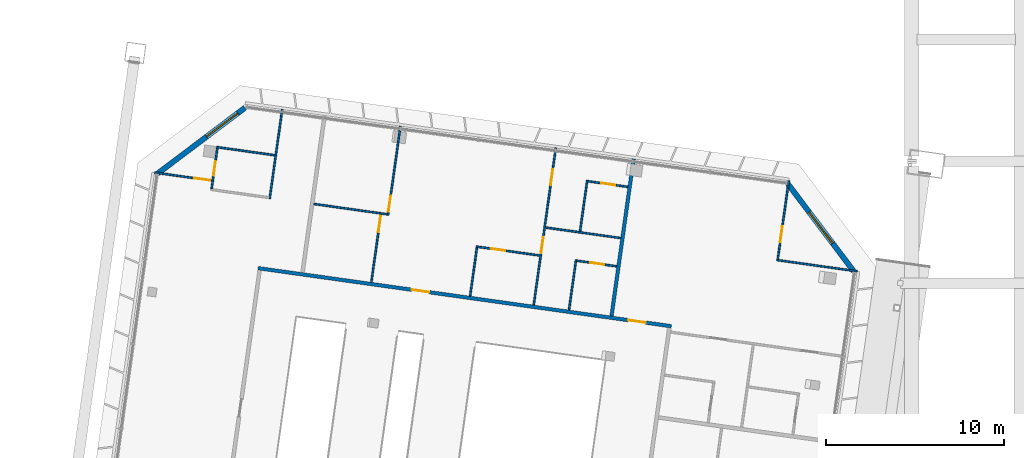
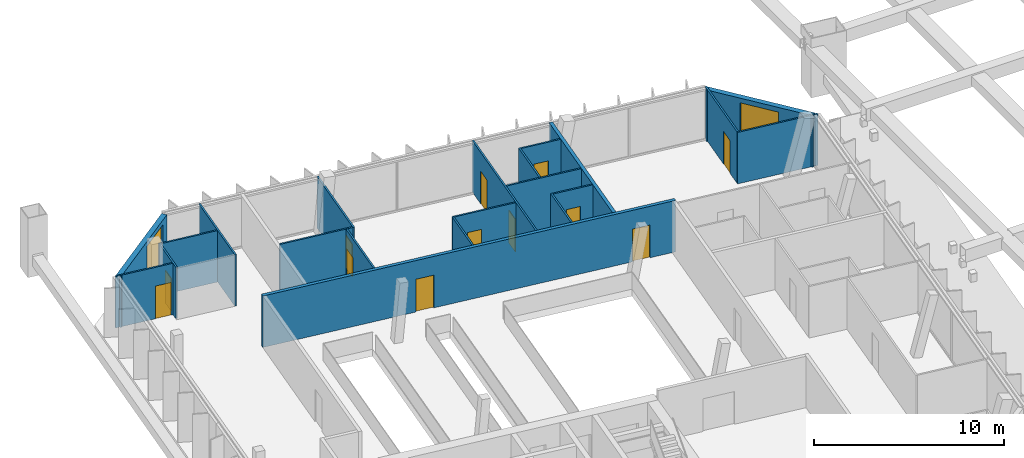
# One storey, part 23 of 36: 21 walls, 12 doors, 2 windows, 14 openings.
"""IFC4 building model written with IfcOpenShell, lengths in metres."""

from ifc_helpers import new_model, si_unit, direction, frame, frame_2d, origin, place, context, subcontext, project, spatial, rectangle, extrude, material, layer, layer_set, type_object, element, fill, save


model = new_model("IFC4")

# Units and contexts
model_context = context("Model", 3, precision=1e-05, world=origin(), true_north=direction((0.0, 1.0)))
body_context = subcontext(model_context, "Body", "Model", "MODEL_VIEW")
ifc_project = project(units=[si_unit("LENGTHUNIT", "METRE"), si_unit("AREAUNIT", "SQUARE_METRE"), si_unit("VOLUMEUNIT", "CUBIC_METRE"), si_unit("PLANEANGLEUNIT", "RADIAN"), si_unit("MASSUNIT", "GRAM", prefix="KILO")], contexts=[model_context])

# Site, building, storey
site_placement = place(None, origin())
site = spatial("IfcSite", under=ifc_project, at=site_placement, CompositionType="ELEMENT")
building_placement = place(site_placement, origin())
building = spatial("IfcBuilding", under=site, at=building_placement, Name="Mirante Cascada Hotel Towers", CompositionType="ELEMENT")
storey_placement = place(building_placement, frame((0.0, 0.0, 254.6)))
storey = spatial("IfcBuildingStorey", under=building, at=storey_placement, Name="L61", CompositionType="ELEMENT", Elevation=254.6)

# Wall, openings, doors
ifc_material_1 = material(Name="Fire-rated plasterboard on metal studs")
ifc_layer_1 = layer(ifc_material_1, 0.2)
ifc_layer_set_1 = layer_set([ifc_layer_1], Name="Compartment wall 200 EI 120")
wall_type_1 = type_object("IfcWallType", Name="Compartment wall 200 EI 120", PredefinedType="PARTITIONING", material=ifc_layer_set_1)
wall_1_placement = place(storey_placement, frame((-48.9088, 10.7557, 0.0), z_axis=(0.0, 0.0, 1.0), x_axis=(0.9902684, -0.1391708, 0.0)))
wall_1 = element("IfcWall", 1, at=wall_1_placement, inside=storey, type_object=wall_type_1, Name="Wall 1-L61-15", PredefinedType="PARTITIONING", context=body_context, shape_type="SweptSolid", body=[
    extrude(rectangle(XDim=23.4, YDim=0.2, at=frame_2d((11.7, 0.0))), origin(), (0.0, 0.0, 1.0), 3.3),
])
opening_1_placement = place(wall_1_placement, frame((20.95, 0.0, 0.0)))
opening_1 = element("IfcOpeningElement", 2, at=opening_1_placement, cuts=wall_1, Name="Opening D1-L61-07", PredefinedType="OPENING", context=body_context, shape_type="SweptSolid", body=[
    extrude(rectangle(XDim=1.0, YDim=2.1, at=frame_2d((0.5, 1.05))), frame((0.0, 0.1, 0.0), z_axis=(0.0, -1.0, 0.0), x_axis=(1.0, 0.0, 0.0)), (0.0, 0.0, 1.0), 0.2),
])
opening_2_placement = place(wall_1_placement, frame((8.6948, 0.0, 0.0)))
opening_2 = element("IfcOpeningElement", 3, at=opening_2_placement, cuts=wall_1, Name="Opening D1-L61-08", PredefinedType="OPENING", context=body_context, shape_type="SweptSolid", body=[
    extrude(rectangle(XDim=1.0, YDim=2.1, at=frame_2d((0.5, 1.05))), frame((0.0, 0.1, 0.0), z_axis=(0.0, -1.0, 0.0), x_axis=(1.0, 0.0, 0.0)), (0.0, 0.0, 1.0), 0.2),
])
ifc_material_2 = material(Name="Fire-rated timber door leaf", Category="wood")
door_type_1 = type_object("IfcDoorType", Name="Entrance door DG1 1000x2100 EI 60", OperationType="SINGLE_SWING_LEFT", PredefinedType="DOOR", material=ifc_material_2)
door_1_placement = place(opening_1_placement, origin())
door_1 = element("IfcDoor", 4, at=door_1_placement, inside=storey, type_object=door_type_1, Name="Door D1-L61-07", OperationType="SINGLE_SWING_LEFT", OverallHeight=2.1, OverallWidth=1.0, PredefinedType="DOOR", context=body_context, shape_type="SweptSolid", body=[
    extrude(rectangle(XDim=1.0, YDim=2.1, at=frame_2d((0.5, 1.05))), frame((0.0, 0.025, 0.0), z_axis=(0.0, -1.0, 0.0), x_axis=(1.0, 0.0, 0.0)), (0.0, 0.0, 1.0), 0.05),
])
fill(opening_1, door_1)
door_2_placement = place(opening_2_placement, origin())
door_2 = element("IfcDoor", 5, at=door_2_placement, inside=storey, type_object=door_type_1, Name="Door D1-L61-08", OperationType="SINGLE_SWING_LEFT", OverallHeight=2.1, OverallWidth=1.0, PredefinedType="DOOR", context=body_context, shape_type="SweptSolid", body=[
    extrude(rectangle(XDim=1.0, YDim=2.1, at=frame_2d((0.5, 1.05))), frame((0.0, 0.025, 0.0), z_axis=(0.0, -1.0, 0.0), x_axis=(1.0, 0.0, 0.0)), (0.0, 0.0, 1.0), 0.05),
])
fill(opening_2, door_2)

# Wall
wall_2_placement = place(storey_placement, frame((-27.8508, 16.8847, 0.0), z_axis=(0.0, 0.0, 1.0), x_axis=(-0.1391794, -0.9902672, 0.0)))
element("IfcWall", 6, at=wall_2_placement, inside=storey, type_object=wall_type_1, Name="Wall 1-L61-39", PredefinedType="PARTITIONING", context=body_context, shape_type="SweptSolid", body=[
    extrude(rectangle(XDim=8.9, YDim=0.2, at=frame_2d((4.45, 0.0))), origin(), (0.0, 0.0, 1.0), 3.3),
])

# Wall, opening, door
ifc_material_3 = material(Name="Plasterboard on metal studs")
ifc_layer_2 = layer(ifc_material_3, 0.1)
ifc_layer_set_2 = layer_set([ifc_layer_2], Name="Partition 100")
wall_type_2 = type_object("IfcWallType", Name="Partition 100", PredefinedType="PARTITIONING", material=ifc_layer_set_2)
wall_3_placement = place(storey_placement, frame((-28.7988, 10.858, 0.0), z_axis=(0.0, 0.0, 1.0), x_axis=(-0.990271, 0.1391524, 0.0)))
wall_3 = element("IfcWall", 7, at=wall_3_placement, inside=storey, type_object=wall_type_2, Name="Wall 1-L61-16", PredefinedType="PARTITIONING", context=body_context, shape_type="SweptSolid", body=[
    extrude(rectangle(XDim=2.2587, YDim=0.1, at=frame_2d((1.1294, 0.0))), origin(), (0.0, 0.0, 1.0), 3.3),
])
opening_3_placement = place(wall_3_placement, frame((0.7087, 0.0, 0.0)))
opening_3 = element("IfcOpeningElement", 8, at=opening_3_placement, cuts=wall_3, Name="Opening D1-L61-09", PredefinedType="OPENING", context=body_context, shape_type="SweptSolid", body=[
    extrude(rectangle(XDim=0.8, YDim=2.1, at=frame_2d((0.4, 1.05))), frame((0.0, 0.05, 0.0), z_axis=(0.0, -1.0, 0.0), x_axis=(1.0, 0.0, 0.0)), (0.0, 0.0, 1.0), 0.1),
])
ifc_material_4 = material(Name="Timber door leaf", Category="wood")
door_type_2 = type_object("IfcDoorType", Name="Bathroom door DG4 800x2100", OperationType="SINGLE_SWING_LEFT", PredefinedType="DOOR", material=ifc_material_4)
door_3_placement = place(opening_3_placement, origin())
door_3 = element("IfcDoor", 9, at=door_3_placement, inside=storey, type_object=door_type_2, Name="Door D1-L61-09", OperationType="SINGLE_SWING_LEFT", OverallHeight=2.1, OverallWidth=0.8, PredefinedType="DOOR", context=body_context, shape_type="SweptSolid", body=[
    extrude(rectangle(XDim=0.8, YDim=2.1, at=frame_2d((0.4, 1.05))), frame((0.0, 0.025, 0.0), z_axis=(0.0, -1.0, 0.0), x_axis=(1.0, 0.0, 0.0)), (0.0, 0.0, 1.0), 0.05),
])
fill(opening_3, door_3)

wall_4_placement = place(storey_placement, frame((-36.6801, 11.9656, 0.0), z_axis=(0.0, 0.0, 1.0), x_axis=(0.9902673, -0.1391783, 0.0)))
wall_4 = element("IfcWall", 10, at=wall_4_placement, inside=storey, type_object=wall_type_2, Name="Wall 1-L61-17", PredefinedType="PARTITIONING", context=body_context, shape_type="SweptSolid", body=[
    extrude(rectangle(XDim=3.6019, YDim=0.1, at=frame_2d((1.801, 0.0))), origin(), (0.0, 0.0, 1.0), 3.3),
])
opening_4_placement = place(wall_4_placement, frame((0.85, 0.0, 0.0)))
opening_4 = element("IfcOpeningElement", 11, at=opening_4_placement, cuts=wall_4, Name="Opening D1-L61-10", PredefinedType="OPENING", context=body_context, shape_type="SweptSolid", body=[
    extrude(rectangle(XDim=0.8, YDim=2.1, at=frame_2d((0.4, 1.05))), frame((0.0, 0.05, 0.0), z_axis=(0.0, -1.0, 0.0), x_axis=(1.0, 0.0, 0.0)), (0.0, 0.0, 1.0), 0.1),
])
door_4_placement = place(opening_4_placement, origin())
door_4 = element("IfcDoor", 12, at=door_4_placement, inside=storey, type_object=door_type_2, Name="Door D1-L61-10", OperationType="SINGLE_SWING_LEFT", OverallHeight=2.1, OverallWidth=0.8, PredefinedType="DOOR", context=body_context, shape_type="SweptSolid", body=[
    extrude(rectangle(XDim=0.8, YDim=2.1, at=frame_2d((0.4, 1.05))), frame((0.0, 0.025, 0.0), z_axis=(0.0, -1.0, 0.0), x_axis=(1.0, 0.0, 0.0)), (0.0, 0.0, 1.0), 0.05),
])
fill(opening_4, door_4)

# Walls
wall_5_placement = place(storey_placement, frame((-41.6712, 13.7779, 0.0), z_axis=(0.0, 0.0, 1.0), x_axis=(-0.9902677, 0.1391758, 0.0)))
element("IfcWall", 13, at=wall_5_placement, inside=storey, type_object=wall_type_2, Name="Wall 1-L61-18", PredefinedType="PARTITIONING", context=body_context, shape_type="SweptSolid", body=[
    extrude(rectangle(XDim=4.1466, YDim=0.1, at=frame_2d((2.0733, 0.0))), origin(), (0.0, 0.0, 1.0), 3.3),
])
wall_6_placement = place(storey_placement, frame((-15.3185, 10.5792, 0.0), z_axis=(0.0, 0.0, 1.0), x_axis=(-0.9902695, 0.1391626, 0.0)))
element("IfcWall", 14, at=wall_6_placement, inside=storey, type_object=wall_type_2, Name="Wall 1-L61-20", PredefinedType="PARTITIONING", context=body_context, shape_type="SweptSolid", body=[
    extrude(rectangle(XDim=4.5501, YDim=0.1, at=frame_2d((2.275, 0.0))), origin(), (0.0, 0.0, 1.0), 3.3),
])
wall_7_placement = place(storey_placement, frame((-32.7916, 13.0348, 0.0), z_axis=(0.0, 0.0, 1.0), x_axis=(0.9902692, -0.1391648, 0.0)))
element("IfcWall", 15, at=wall_7_placement, inside=storey, type_object=wall_type_2, Name="Wall 1-L61-21", PredefinedType="PARTITIONING", context=body_context, shape_type="SweptSolid", body=[
    extrude(rectangle(XDim=4.2568, YDim=0.1, at=frame_2d((2.1284, 0.0))), origin(), (0.0, 0.0, 1.0), 3.3),
])

# Wall, opening, door
wall_8_placement = place(storey_placement, frame((-51.5009, 15.6642, 0.0), z_axis=(0.0, 0.0, 1.0), x_axis=(-0.9902639, 0.1392025, 0.0)))
wall_8 = element("IfcWall", 16, at=wall_8_placement, inside=storey, type_object=wall_type_2, Name="Wall 1-L61-22", PredefinedType="PARTITIONING", context=body_context, shape_type="SweptSolid", body=[
    extrude(rectangle(XDim=3.2499, YDim=0.1, at=frame_2d((1.6249, 0.0))), origin(), (0.0, 0.0, 1.0), 3.3),
])
opening_5_placement = place(wall_8_placement, frame((0.1, 0.0, 0.0)))
opening_5 = element("IfcOpeningElement", 17, at=opening_5_placement, cuts=wall_8, Name="Opening D1-L61-11", PredefinedType="OPENING", context=body_context, shape_type="SweptSolid", body=[
    extrude(rectangle(XDim=0.9, YDim=2.1, at=frame_2d((0.45, 1.05))), frame((0.0, 0.05, 0.0), z_axis=(0.0, -1.0, 0.0), x_axis=(1.0, 0.0, 0.0)), (0.0, 0.0, 1.0), 0.1),
])
ifc_material_5 = material(Name="Timber door leaf", Category="wood")
door_type_3 = type_object("IfcDoorType", Name="Room door DG3 900x2100", OperationType="SINGLE_SWING_LEFT", PredefinedType="DOOR", material=ifc_material_5)
door_5_placement = place(opening_5_placement, origin())
door_5 = element("IfcDoor", 18, at=door_5_placement, inside=storey, type_object=door_type_3, Name="Door D1-L61-11", OperationType="SINGLE_SWING_LEFT", OverallHeight=2.1, OverallWidth=0.9, PredefinedType="DOOR", context=body_context, shape_type="SweptSolid", body=[
    extrude(rectangle(XDim=0.9, YDim=2.1, at=frame_2d((0.45, 1.05))), frame((0.0, 0.025, 0.0), z_axis=(0.0, -1.0, 0.0), x_axis=(1.0, 0.0, 0.0)), (0.0, 0.0, 1.0), 0.05),
])
fill(opening_5, door_5)

# Wall
wall_9_placement = place(storey_placement, frame((-51.2364, 17.5458, 0.0), z_axis=(0.0, 0.0, 1.0), x_axis=(0.990267, -0.139181, 0.0)))
element("IfcWall", 19, at=wall_9_placement, inside=storey, type_object=wall_type_2, Name="Wall 1-L61-23", PredefinedType="PARTITIONING", context=body_context, shape_type="SweptSolid", body=[
    extrude(rectangle(XDim=3.3, YDim=0.1, at=frame_2d((1.65, 0.0))), origin(), (0.0, 0.0, 1.0), 3.3),
])

# Wall, opening, door
wall_10_placement = place(storey_placement, frame((-28.1725, 15.3142, 0.0), z_axis=(0.0, 0.0, 1.0), x_axis=(-0.9902718, 0.1391463, 0.0)))
wall_10 = element("IfcWall", 20, at=wall_10_placement, inside=storey, type_object=wall_type_2, Name="Wall 1-L61-24", PredefinedType="PARTITIONING", context=body_context, shape_type="SweptSolid", body=[
    extrude(rectangle(XDim=2.2588, YDim=0.1, at=frame_2d((1.1294, 0.0))), origin(), (0.0, 0.0, 1.0), 3.3),
])
opening_6_placement = place(wall_10_placement, frame((0.7087, 0.0, 0.0)))
opening_6 = element("IfcOpeningElement", 21, at=opening_6_placement, cuts=wall_10, Name="Opening D1-L61-12", PredefinedType="OPENING", context=body_context, shape_type="SweptSolid", body=[
    extrude(rectangle(XDim=0.8, YDim=2.1, at=frame_2d((0.4, 1.05))), frame((0.0, 0.05, 0.0), z_axis=(0.0, -1.0, 0.0), x_axis=(1.0, 0.0, 0.0)), (0.0, 0.0, 1.0), 0.1),
])
door_6_placement = place(opening_6_placement, origin())
door_6 = element("IfcDoor", 22, at=door_6_placement, inside=storey, type_object=door_type_2, Name="Door D1-L61-12", OperationType="SINGLE_SWING_LEFT", OverallHeight=2.1, OverallWidth=0.8, PredefinedType="DOOR", context=body_context, shape_type="SweptSolid", body=[
    extrude(rectangle(XDim=0.8, YDim=2.1, at=frame_2d((0.4, 1.05))), frame((0.0, 0.025, 0.0), z_axis=(0.0, -1.0, 0.0), x_axis=(1.0, 0.0, 0.0)), (0.0, 0.0, 1.0), 0.05),
])
fill(opening_6, door_6)

wall_11_placement = place(storey_placement, frame((-19.1485, 15.6616, 0.0), z_axis=(0.0, 0.0, 1.0), x_axis=(-0.1391684, -0.9902687, 0.0)))
wall_11 = element("IfcWall", 23, at=wall_11_placement, inside=storey, type_object=wall_type_2, Name="Wall 1-L61-31", PredefinedType="PARTITIONING", context=body_context, shape_type="SweptSolid", body=[
    extrude(rectangle(XDim=4.45, YDim=0.1, at=frame_2d((2.225, 0.0))), origin(), (0.0, 0.0, 1.0), 3.3),
])
opening_7_placement = place(wall_11_placement, frame((2.5833, 0.0, 0.0)))
opening_7 = element("IfcOpeningElement", 24, at=opening_7_placement, cuts=wall_11, Name="Opening D1-L61-17", PredefinedType="OPENING", context=body_context, shape_type="SweptSolid", body=[
    extrude(rectangle(XDim=0.9, YDim=2.1, at=frame_2d((0.45, 1.05))), frame((0.0, 0.05, 0.0), z_axis=(0.0, -1.0, 0.0), x_axis=(1.0, 0.0, 0.0)), (0.0, 0.0, 1.0), 0.1),
])
door_7_placement = place(opening_7_placement, frame((0.9, 0.0, 0.0), z_axis=(0.0, 0.0, 1.0), x_axis=(-1.0, 0.0, 0.0)))
door_7 = element("IfcDoor", 25, at=door_7_placement, inside=storey, type_object=door_type_3, Name="Door D1-L61-17", OperationType="SINGLE_SWING_RIGHT", OverallHeight=2.1, OverallWidth=0.9, PredefinedType="DOOR", context=body_context, shape_type="SweptSolid", body=[
    extrude(rectangle(XDim=0.9, YDim=2.1, at=frame_2d((0.45, 1.05))), frame((0.0, 0.025, 0.0), z_axis=(0.0, -1.0, 0.0), x_axis=(1.0, 0.0, 0.0)), (0.0, 0.0, 1.0), 0.05),
])
fill(opening_7, door_7)

# Walls
wall_12_placement = place(storey_placement, frame((-31.4747, 8.4065, 0.0), z_axis=(0.0, 0.0, 1.0), x_axis=(0.1391564, 0.9902704, 0.0)))
element("IfcWall", 26, at=wall_12_placement, inside=storey, type_object=wall_type_2, Name="Wall 1-L61-40", PredefinedType="PARTITIONING", context=body_context, shape_type="SweptSolid", body=[
    extrude(rectangle(XDim=2.85, YDim=0.1, at=frame_2d((1.425, 0.0))), origin(), (0.0, 0.0, 1.0), 3.3),
])
wall_13_placement = place(storey_placement, frame((-30.4518, 15.685, 0.0), z_axis=(0.0, 0.0, 1.0), x_axis=(-0.1391714, -0.9902683, 0.0)))
element("IfcWall", 27, at=wall_13_placement, inside=storey, type_object=wall_type_2, Name="Wall 1-L61-41", PredefinedType="PARTITIONING", context=body_context, shape_type="SweptSolid", body=[
    extrude(rectangle(XDim=2.9, YDim=0.1, at=frame_2d((1.45, 0.0))), origin(), (0.0, 0.0, 1.0), 3.3),
])

# Wall, openings, doors
wall_14_placement = place(storey_placement, frame((-33.4535, 8.6846, 0.0), z_axis=(0.0, 0.0, 1.0), x_axis=(0.1391684, 0.9902687, 0.0)))
wall_14 = element("IfcWall", 28, at=wall_14_placement, inside=storey, type_object=wall_type_2, Name="Wall 1-L61-42", PredefinedType="PARTITIONING", context=body_context, shape_type="SweptSolid", body=[
    extrude(rectangle(XDim=8.9, YDim=0.1, at=frame_2d((4.45, 0.0))), origin(), (0.0, 0.0, 1.0), 3.3),
])
opening_8_placement = place(wall_14_placement, frame((2.95, 0.0, 0.0)))
opening_8 = element("IfcOpeningElement", 29, at=opening_8_placement, cuts=wall_14, Name="Opening D1-L61-22", PredefinedType="OPENING", context=body_context, shape_type="SweptSolid", body=[
    extrude(rectangle(XDim=0.9, YDim=2.1, at=frame_2d((0.45, 1.05))), frame((0.0, 0.05, 0.0), z_axis=(0.0, -1.0, 0.0), x_axis=(1.0, 0.0, 0.0)), (0.0, 0.0, 1.0), 0.1),
])
opening_9_placement = place(wall_14_placement, frame((6.8, 0.0, 0.0)))
opening_9 = element("IfcOpeningElement", 30, at=opening_9_placement, cuts=wall_14, Name="Opening D1-L61-23", PredefinedType="OPENING", context=body_context, shape_type="SweptSolid", body=[
    extrude(rectangle(XDim=0.9, YDim=2.1, at=frame_2d((0.45, 1.05))), frame((0.0, 0.05, 0.0), z_axis=(0.0, -1.0, 0.0), x_axis=(1.0, 0.0, 0.0)), (0.0, 0.0, 1.0), 0.1),
])
door_8_placement = place(opening_8_placement, origin())
door_8 = element("IfcDoor", 31, at=door_8_placement, inside=storey, type_object=door_type_3, Name="Door D1-L61-22", OperationType="SINGLE_SWING_LEFT", OverallHeight=2.1, OverallWidth=0.9, PredefinedType="DOOR", context=body_context, shape_type="SweptSolid", body=[
    extrude(rectangle(XDim=0.9, YDim=2.1, at=frame_2d((0.45, 1.05))), frame((0.0, 0.025, 0.0), z_axis=(0.0, -1.0, 0.0), x_axis=(1.0, 0.0, 0.0)), (0.0, 0.0, 1.0), 0.05),
])
fill(opening_8, door_8)
door_9_placement = place(opening_9_placement, origin())
door_9 = element("IfcDoor", 32, at=door_9_placement, inside=storey, type_object=door_type_3, Name="Door D1-L61-23", OperationType="SINGLE_SWING_LEFT", OverallHeight=2.1, OverallWidth=0.9, PredefinedType="DOOR", context=body_context, shape_type="SweptSolid", body=[
    extrude(rectangle(XDim=0.9, YDim=2.1, at=frame_2d((0.45, 1.05))), frame((0.0, 0.025, 0.0), z_axis=(0.0, -1.0, 0.0), x_axis=(1.0, 0.0, 0.0)), (0.0, 0.0, 1.0), 0.05),
])
fill(opening_9, door_9)

# Wall
wall_15_placement = place(storey_placement, frame((-36.6375, 11.9091, 0.0), z_axis=(0.0, 0.0, 1.0), x_axis=(-0.1391657, -0.9902691, 0.0)))
element("IfcWall", 33, at=wall_15_placement, inside=storey, type_object=wall_type_2, Name="Wall 1-L61-43", PredefinedType="PARTITIONING", context=body_context, shape_type="SweptSolid", body=[
    extrude(rectangle(XDim=2.75, YDim=0.1, at=frame_2d((1.375, 0.0))), origin(), (0.0, 0.0, 1.0), 3.3),
])

# Wall, opening, door
wall_16_placement = place(storey_placement, frame((-41.6287, 13.7214, 0.0), z_axis=(0.0, 0.0, 1.0), x_axis=(0.1391866, 0.9902662, 0.0)))
wall_16 = element("IfcWall", 34, at=wall_16_placement, inside=storey, type_object=wall_type_2, Name="Wall 1-L61-44", PredefinedType="PARTITIONING", context=body_context, shape_type="SweptSolid", body=[
    extrude(rectangle(XDim=5.0501, YDim=0.1, at=frame_2d((2.525, 0.0))), origin(), (0.0, 0.0, 1.0), 3.3),
])
opening_10_placement = place(wall_16_placement, frame((0.2, 0.0, 0.0)))
opening_10 = element("IfcOpeningElement", 35, at=opening_10_placement, cuts=wall_16, Name="Opening D1-L61-24", PredefinedType="OPENING", context=body_context, shape_type="SweptSolid", body=[
    extrude(rectangle(XDim=0.9, YDim=2.1, at=frame_2d((0.45, 1.05))), frame((0.0, 0.05, 0.0), z_axis=(0.0, -1.0, 0.0), x_axis=(1.0, 0.0, 0.0)), (0.0, 0.0, 1.0), 0.1),
])
door_10_placement = place(opening_10_placement, frame((0.9, 0.0, 0.0), z_axis=(0.0, 0.0, 1.0), x_axis=(-1.0, 0.0, 0.0)))
door_10 = element("IfcDoor", 36, at=door_10_placement, inside=storey, type_object=door_type_3, Name="Door D1-L61-24", OperationType="SINGLE_SWING_RIGHT", OverallHeight=2.1, OverallWidth=0.9, PredefinedType="DOOR", context=body_context, shape_type="SweptSolid", body=[
    extrude(rectangle(XDim=0.9, YDim=2.1, at=frame_2d((0.45, 1.05))), frame((0.0, 0.025, 0.0), z_axis=(0.0, -1.0, 0.0), x_axis=(1.0, 0.0, 0.0)), (0.0, 0.0, 1.0), 0.05),
])
fill(opening_10, door_10)

wall_17_placement = place(storey_placement, frame((-42.023, 13.7768, 0.0), z_axis=(0.0, 0.0, 1.0), x_axis=(-0.1391701, -0.9902685, 0.0)))
wall_17 = element("IfcWall", 37, at=wall_17_placement, inside=storey, type_object=wall_type_2, Name="Wall 1-L61-45", PredefinedType="PARTITIONING", context=body_context, shape_type="SweptSolid", body=[
    extrude(rectangle(XDim=3.85, YDim=0.1, at=frame_2d((1.925, 0.0))), origin(), (0.0, 0.0, 1.0), 3.3),
])
opening_11_placement = place(wall_17_placement, frame((0.1, 0.0, 0.0)))
opening_11 = element("IfcOpeningElement", 38, at=opening_11_placement, cuts=wall_17, Name="Opening D1-L61-25", PredefinedType="OPENING", context=body_context, shape_type="SweptSolid", body=[
    extrude(rectangle(XDim=0.9, YDim=2.1, at=frame_2d((0.45, 1.05))), frame((0.0, 0.05, 0.0), z_axis=(0.0, -1.0, 0.0), x_axis=(1.0, 0.0, 0.0)), (0.0, 0.0, 1.0), 0.1),
])
door_11_placement = place(opening_11_placement, origin())
door_11 = element("IfcDoor", 39, at=door_11_placement, inside=storey, type_object=door_type_3, Name="Door D1-L61-25", OperationType="SINGLE_SWING_LEFT", OverallHeight=2.1, OverallWidth=0.9, PredefinedType="DOOR", context=body_context, shape_type="SweptSolid", body=[
    extrude(rectangle(XDim=0.9, YDim=2.1, at=frame_2d((0.45, 1.05))), frame((0.0, 0.025, 0.0), z_axis=(0.0, -1.0, 0.0), x_axis=(1.0, 0.0, 0.0)), (0.0, 0.0, 1.0), 0.05),
])
fill(opening_11, door_11)

# Wall
wall_18_placement = place(storey_placement, frame((-48.26, 14.6534, 0.0), z_axis=(0.0, 0.0, 1.0), x_axis=(0.1391699, 0.9902685, 0.0)))
element("IfcWall", 40, at=wall_18_placement, inside=storey, type_object=wall_type_2, Name="Wall 1-L61-48", PredefinedType="PARTITIONING", context=body_context, shape_type="SweptSolid", body=[
    extrude(rectangle(XDim=5.0499, YDim=0.1, at=frame_2d((2.525, 0.0))), origin(), (0.0, 0.0, 1.0), 3.3),
])

# Wall, opening, door
wall_19_placement = place(storey_placement, frame((-51.514, 15.2117, 0.0), z_axis=(0.0, 0.0, 1.0), x_axis=(0.1391749, 0.9902678, 0.0)))
wall_19 = element("IfcWall", 41, at=wall_19_placement, inside=storey, type_object=wall_type_2, Name="Wall 1-L61-50", PredefinedType="PARTITIONING", context=body_context, shape_type="SweptSolid", body=[
    extrude(rectangle(XDim=2.3, YDim=0.1, at=frame_2d((1.15, 0.0))), origin(), (0.0, 0.0, 1.0), 3.3),
])
opening_12_placement = place(wall_19_placement, frame((0.75, 0.0, 0.0)))
opening_12 = element("IfcOpeningElement", 42, at=opening_12_placement, cuts=wall_19, Name="Opening D1-L61-27", PredefinedType="OPENING", context=body_context, shape_type="SweptSolid", body=[
    extrude(rectangle(XDim=0.8, YDim=2.1, at=frame_2d((0.4, 1.05))), frame((0.0, 0.05, 0.0), z_axis=(0.0, -1.0, 0.0), x_axis=(1.0, 0.0, 0.0)), (0.0, 0.0, 1.0), 0.1),
])
door_12_placement = place(opening_12_placement, frame((0.8, 0.0, 0.0), z_axis=(0.0, 0.0, 1.0), x_axis=(-1.0, 0.0, 0.0)))
door_12 = element("IfcDoor", 43, at=door_12_placement, inside=storey, type_object=door_type_2, Name="Door D1-L61-27", OperationType="SINGLE_SWING_RIGHT", OverallHeight=2.1, OverallWidth=0.8, PredefinedType="DOOR", context=body_context, shape_type="SweptSolid", body=[
    extrude(rectangle(XDim=0.8, YDim=2.1, at=frame_2d((0.4, 1.05))), frame((0.0, 0.025, 0.0), z_axis=(0.0, -1.0, 0.0), x_axis=(1.0, 0.0, 0.0)), (0.0, 0.0, 1.0), 0.05),
])
fill(opening_12, door_12)

# Wall, opening, window
ifc_material_6 = material(Name="Precast concrete C40/50", Category="concrete")
ifc_layer_3 = layer(ifc_material_6, 0.3)
ifc_layer_set_3 = layer_set([ifc_layer_3], Name="Precast concrete C40/50 cladding wall 300")
wall_type_3 = type_object("IfcWallType", Name="Precast concrete C40/50 cladding wall 300", PredefinedType="STANDARD", material=ifc_layer_set_3)
wall_20_placement = place(storey_placement, frame((-54.5298, 16.0715, 0.0), z_axis=(0.0, 0.0, 1.0), x_axis=(0.7986362, 0.6018141, 0.0)))
wall_20 = element("IfcWall", 44, at=wall_20_placement, inside=storey, type_object=wall_type_3, Name="Corner cladding wall T1 L61 outer front", PredefinedType="STANDARD", context=body_context, shape_type="SweptSolid", body=[
    extrude(rectangle(XDim=6.1157, YDim=0.3, at=frame_2d((3.0578, 0.0))), origin(), (0.0, 0.0, 1.0), 3.3),
])
opening_13_placement = place(wall_20_placement, frame((3.4182, 0.0, 0.6)))
opening_13 = element("IfcOpeningElement", 45, at=opening_13_placement, cuts=wall_20, Name="Opening W1-61-05", PredefinedType="OPENING", context=body_context, shape_type="SweptSolid", body=[
    extrude(rectangle(XDim=2.2, YDim=2.4, at=frame_2d((1.1, 1.2))), frame((0.0, 0.15, 0.0), z_axis=(0.0, -1.0, 0.0), x_axis=(1.0, 0.0, 0.0)), (0.0, 0.0, 1.0), 0.3),
])
ifc_material_7 = material(Name="Aluminium frame with clear double glazing", Category="aluminium")
window_type = type_object("IfcWindowType", Name="Corner suite window 2200x2400", PartitioningType="DOUBLE_PANEL_VERTICAL", PredefinedType="WINDOW", material=ifc_material_7)
window_1_placement = place(opening_13_placement, origin())
window_1 = element("IfcWindow", 46, at=window_1_placement, inside=storey, type_object=window_type, Name="Window W1-61-05", OverallHeight=2.4, OverallWidth=2.2, PartitioningType="SINGLE_PANEL", PredefinedType="WINDOW", context=body_context, shape_type="SweptSolid", body=[
    extrude(rectangle(XDim=2.2, YDim=2.4, at=frame_2d((1.1, 1.2))), frame((0.0, 0.03, 0.0), z_axis=(0.0, -1.0, 0.0), x_axis=(1.0, 0.0, 0.0)), (0.0, 0.0, 1.0), 0.06),
])
fill(opening_13, window_1)

wall_21_placement = place(storey_placement, frame((-19.1936, 15.4722, 0.0), z_axis=(0.0, 0.0, 1.0), x_axis=(0.6018141, -0.7986362, 0.0)))
wall_21 = element("IfcWall", 47, at=wall_21_placement, inside=storey, type_object=wall_type_3, Name="Corner cladding wall T1 L61 front inner", PredefinedType="STANDARD", context=body_context, shape_type="SweptSolid", body=[
    extrude(rectangle(XDim=6.1157, YDim=0.3, at=frame_2d((3.0578, 0.0))), origin(), (0.0, 0.0, 1.0), 3.3),
])
opening_14_placement = place(wall_21_placement, frame((1.9578, 0.0, 0.6)))
opening_14 = element("IfcOpeningElement", 48, at=opening_14_placement, cuts=wall_21, Name="Opening W1-61-06", PredefinedType="OPENING", context=body_context, shape_type="SweptSolid", body=[
    extrude(rectangle(XDim=2.2, YDim=2.4, at=frame_2d((1.1, 1.2))), frame((0.0, 0.15, 0.0), z_axis=(0.0, -1.0, 0.0), x_axis=(1.0, 0.0, 0.0)), (0.0, 0.0, 1.0), 0.3),
])
window_2_placement = place(opening_14_placement, origin())
window_2 = element("IfcWindow", 49, at=window_2_placement, inside=storey, type_object=window_type, Name="Window W1-61-06", OverallHeight=2.4, OverallWidth=2.2, PartitioningType="SINGLE_PANEL", PredefinedType="WINDOW", context=body_context, shape_type="SweptSolid", body=[
    extrude(rectangle(XDim=2.2, YDim=2.4, at=frame_2d((1.1, 1.2))), frame((0.0, 0.03, 0.0), z_axis=(0.0, -1.0, 0.0), x_axis=(1.0, 0.0, 0.0)), (0.0, 0.0, 1.0), 0.06),
])
fill(opening_14, window_2)

save(model, "model.ifc")
